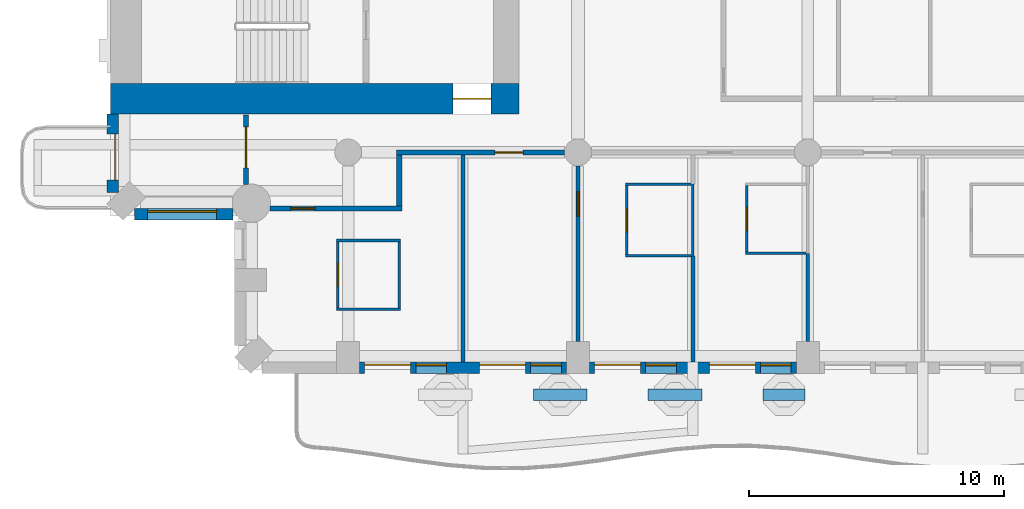
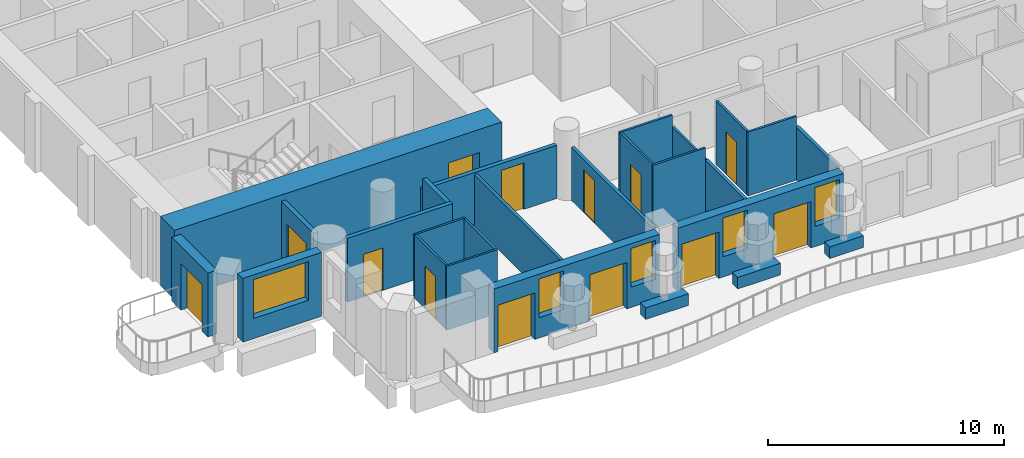
# One storey, part 3 of 20: 26 walls, 13 doors, 5 windows, 18 openings.
"""IFC4 building model written with IfcOpenShell, lengths in metres."""

from ifc_helpers import new_model, si_unit, direction, frame, frame_2d, origin, place, context, subcontext, project, spatial, rectangle, extrude, material, layer, layer_set, type_object, element, fill, save


model = new_model("IFC4")

# Units and contexts
model_context = context("Model", 3, precision=1e-05, world=origin(), true_north=direction((0.0, 1.0)))
body_context = subcontext(model_context, "Body", "Model", "MODEL_VIEW")
ifc_project = project(units=[si_unit("LENGTHUNIT", "METRE"), si_unit("AREAUNIT", "SQUARE_METRE"), si_unit("VOLUMEUNIT", "CUBIC_METRE"), si_unit("PLANEANGLEUNIT", "RADIAN"), si_unit("MASSUNIT", "GRAM", prefix="KILO")], contexts=[model_context])

# Site, building, storey
site_placement = place(None, origin())
site = spatial("IfcSite", under=ifc_project, at=site_placement, CompositionType="ELEMENT")
building_placement = place(site_placement, origin())
building = spatial("IfcBuilding", under=site, at=building_placement, Name="Cypress Arch Tower", CompositionType="ELEMENT")
storey_placement = place(building_placement, frame((0.0, 0.0, 109.5)))
storey = spatial("IfcBuildingStorey", under=building, at=storey_placement, Name="L22", CompositionType="ELEMENT", Elevation=109.5)

# Walls
ifc_material_1 = material(Name="Concrete C40/50, waterproofed", Category="concrete")
ifc_layer_1 = layer(ifc_material_1, 0.449951171875)
ifc_layer_set_1 = layer_set([ifc_layer_1], Name="Balcony planter wall PW450")
wall_type_1 = type_object("IfcWallType", Name="Balcony planter wall PW450", PredefinedType="SOLIDWALL", material=ifc_layer_set_1)
for number, where, z_axis, x_axis, name in (
    (1, (-13.449951171875, -27.0, 0.0), (0.0, 0.0, 1.0), (1.0, 0.0, 0.0), "Balcony planter wall L22-A03.2"),
    (2, (-8.949951171875, -27.0, 0.0), (0.0, 0.0, 1.0), (1.0, 0.0, 0.0), "Balcony planter wall L22-A03.3"),
):
    element("IfcWall", number, at=place(storey_placement, frame(where, z_axis=z_axis, x_axis=x_axis)), inside=storey, type_object=wall_type_1, Name=name, PredefinedType="SOLIDWALL", context=body_context, shape_type="SweptSolid", body=[
        extrude(rectangle(XDim=2.099853515625, YDim=0.449951171875, at=frame_2d((1.0498046875, 0.0))), origin(), (0.0, 0.0, 1.0), 0.60009765625),
    ])
wall_1_placement = place(storey_placement, frame((-4.449951171875, -27.0, 0.0), z_axis=(0.0, 0.0, 1.0), x_axis=(1.0, 0.0, 0.0)))
element("IfcWall", 3, at=wall_1_placement, inside=storey, type_object=wall_type_1, Name="Balcony planter wall L22-A03.4", PredefinedType="SOLIDWALL", context=body_context, shape_type="SweptSolid", body=[
    extrude(rectangle(XDim=1.64990234375, YDim=0.449951171875, at=frame_2d((0.824951171875, 0.0))), origin(), (0.0, 0.0, 1.0), 0.60009765625),
])

# Wall, opening, door
ifc_material_2 = material(Name="Brick (red buff blend)", Category="masonry")
ifc_layer_2 = layer(ifc_material_2, 0.449951171875)
ifc_layer_set_2 = layer_set([ifc_layer_2], Name="Brick pier and spandrel wall BW450")
wall_type_2 = type_object("IfcWallType", Name="Brick pier and spandrel wall BW450", PredefinedType="SOLIDWALL", material=ifc_layer_set_2)
wall_2_placement = place(storey_placement, frame((-29.925048828125, -16.0, 0.0), z_axis=(0.0, 0.0, 1.0), x_axis=(0.0, -1.0, 0.0)))
wall_2 = element("IfcWall", 4, at=wall_2_placement, inside=storey, type_object=wall_type_2, Name="Brick wall L22 A00.0.1", PredefinedType="SOLIDWALL", context=body_context, shape_type="SweptSolid", body=[
    extrude(rectangle(XDim=3.063720703125, YDim=0.449951171875, at=frame_2d((1.53173828125, 0.0))), origin(), (0.0, 0.0, 1.0), 3.300048828125),
])
opening_1_placement = place(wall_2_placement, frame((0.78173828125, 0.0, 0.0)))
opening_1 = element("IfcOpeningElement", 5, at=opening_1_placement, cuts=wall_2, Name="Opening D-L22-A00.0.1.9", PredefinedType="OPENING", context=body_context, shape_type="SweptSolid", body=[
    extrude(rectangle(XDim=1.800048828125, YDim=2.39990234375, at=frame_2d((0.89990234375, 1.199951171875))), frame((0.0, 0.23486328125, 0.0), z_axis=(0.0, -1.0, 0.0), x_axis=(1.0, 0.0, 0.0)), (0.0, 0.0, 1.0), 0.469970703125),
])
ifc_material_3 = material(Name="Anodised aluminium, bronze finish, laminated low-emissivity double glazing, large-missile impact rated", Category="aluminium")
door_type_1 = type_object("IfcDoorType", Name="Balcony sliding door 1800x2400", OperationType="SLIDING_TO_LEFT", PredefinedType="DOOR", material=ifc_material_3)
door_1_placement = place(opening_1_placement, origin())
door_1 = element("IfcDoor", 6, at=door_1_placement, inside=storey, type_object=door_type_1, Name="Balcony door L22 A00.0.1.9", OperationType="SLIDING_TO_LEFT", OverallHeight=2.39990234375, OverallWidth=1.800048828125, PredefinedType="DOOR", context=body_context, shape_type="SweptSolid", body=[
    extrude(rectangle(XDim=1.800048828125, YDim=2.39990234375, at=frame_2d((0.89990234375, 1.199951171875))), frame((0.0, 0.1298828125, 0.0), z_axis=(0.0, -1.0, 0.0), x_axis=(1.0, 0.0, 0.0)), (0.0, 0.0, 1.0), 0.050048828125),
])
fill(opening_1, door_1)

# Wall, opening, window
wall_3_placement = place(storey_placement, frame((-29.063720703125, -19.925048828125, 0.0), z_axis=(0.0, 0.0, 1.0), x_axis=(1.0, 0.0, 0.0)))
wall_3 = element("IfcWall", 7, at=wall_3_placement, inside=storey, type_object=wall_type_2, Name="Brick wall L22 A01.0", PredefinedType="SOLIDWALL", context=body_context, shape_type="SweptSolid", body=[
    extrude(rectangle(XDim=3.856689453125, YDim=0.449951171875, at=frame_2d((1.92822265625, 0.0))), origin(), (0.0, 0.0, 1.0), 3.300048828125),
])
opening_2_placement = place(wall_3_placement, frame((0.513671875, 0.0, 1.050048828125)))
opening_2 = element("IfcOpeningElement", 8, at=opening_2_placement, cuts=wall_3, Name="Opening W270H", PredefinedType="OPENING", context=body_context, shape_type="SweptSolid", body=[
    extrude(rectangle(XDim=2.699951171875, YDim=2.0, at=frame_2d((1.35009765625, 1.0))), frame((0.0, 0.23486328125, 0.0), z_axis=(0.0, -1.0, 0.0), x_axis=(1.0, 0.0, 0.0)), (0.0, 0.0, 1.0), 0.469970703125),
])
ifc_material_4 = material(Name="Anodised aluminium, bronze finish, clear low-emissivity double glazing", Category="aluminium")
window_type_1 = type_object("IfcWindowType", Name="Window Hotel 2700x2000", PartitioningType="SINGLE_PANEL", PredefinedType="WINDOW", material=ifc_material_4)
window_1_placement = place(opening_2_placement, origin())
window_1 = element("IfcWindow", 9, at=window_1_placement, inside=storey, type_object=window_type_1, Name="Window L22 A01.0.1", OverallHeight=2.0, OverallWidth=2.699951171875, PartitioningType="SINGLE_PANEL", PredefinedType="WINDOW", context=body_context, shape_type="SweptSolid", body=[
    extrude(rectangle(XDim=2.699951171875, YDim=2.0, at=frame_2d((1.35009765625, 1.0))), frame((0.0, 0.135009765625, 0.0), z_axis=(0.0, -1.0, 0.0), x_axis=(1.0, 0.0, 0.0)), (0.0, 0.0, 1.0), 0.06005859375),
])
fill(opening_2, window_1)

# Wall, openings, doors, windows
wall_4_placement = place(storey_placement, frame((-20.25, -25.925048828125, 0.0), z_axis=(0.0, 0.0, 1.0), x_axis=(1.0, 0.0, 0.0)))
wall_4 = element("IfcWall", 10, at=wall_4_placement, inside=storey, type_object=wall_type_2, Name="Brick wall L22 A03.1", PredefinedType="SOLIDWALL", context=body_context, shape_type="SweptSolid", body=[
    extrude(rectangle(XDim=8.10009765625, YDim=0.449951171875, at=frame_2d((4.050048828125, 0.0))), origin(), (0.0, 0.0, 1.0), 3.300048828125),
])
opening_3_placement = place(wall_4_placement, frame((0.199951171875, 0.0, 0.0)))
opening_3 = element("IfcOpeningElement", 11, at=opening_3_placement, cuts=wall_4, Name="Opening D-L22-A03.1.1", PredefinedType="OPENING", context=body_context, shape_type="SweptSolid", body=[
    extrude(rectangle(XDim=1.800048828125, YDim=2.39990234375, at=frame_2d((0.89990234375, 1.199951171875))), frame((0.0, 0.23486328125, 0.0), z_axis=(0.0, -1.0, 0.0), x_axis=(1.0, 0.0, 0.0)), (0.0, 0.0, 1.0), 0.469970703125),
])
opening_4_placement = place(wall_4_placement, frame((2.199951171875, 0.0, 1.050048828125)))
opening_4 = element("IfcOpeningElement", 12, at=opening_4_placement, cuts=wall_4, Name="Opening W120HD", PredefinedType="OPENING", context=body_context, shape_type="SweptSolid", body=[
    extrude(rectangle(XDim=1.199951171875, YDim=2.0, at=frame_2d((0.60009765625, 1.0))), frame((0.0, 0.23486328125, 0.0), z_axis=(0.0, -1.0, 0.0), x_axis=(1.0, 0.0, 0.0)), (0.0, 0.0, 1.0), 0.469970703125),
])
opening_5_placement = place(wall_4_placement, frame((4.699951171875, 0.0, 0.0)))
opening_5 = element("IfcOpeningElement", 13, at=opening_5_placement, cuts=wall_4, Name="Opening D-L22-A03.1.2", PredefinedType="OPENING", context=body_context, shape_type="SweptSolid", body=[
    extrude(rectangle(XDim=1.800048828125, YDim=2.39990234375, at=frame_2d((0.89990234375, 1.199951171875))), frame((0.0, 0.23486328125, 0.0), z_axis=(0.0, -1.0, 0.0), x_axis=(1.0, 0.0, 0.0)), (0.0, 0.0, 1.0), 0.469970703125),
])
opening_6_placement = place(wall_4_placement, frame((6.699951171875, 0.0, 1.050048828125)))
opening_6 = element("IfcOpeningElement", 14, at=opening_6_placement, cuts=wall_4, Name="Opening W120HD", PredefinedType="OPENING", context=body_context, shape_type="SweptSolid", body=[
    extrude(rectangle(XDim=1.199951171875, YDim=2.0, at=frame_2d((0.60009765625, 1.0))), frame((0.0, 0.23486328125, 0.0), z_axis=(0.0, -1.0, 0.0), x_axis=(1.0, 0.0, 0.0)), (0.0, 0.0, 1.0), 0.469970703125),
])
door_2_placement = place(opening_3_placement, origin())
door_2 = element("IfcDoor", 15, at=door_2_placement, inside=storey, type_object=door_type_1, Name="Balcony door L22 A03.1.1", OperationType="SLIDING_TO_LEFT", OverallHeight=2.39990234375, OverallWidth=1.800048828125, PredefinedType="DOOR", context=body_context, shape_type="SweptSolid", body=[
    extrude(rectangle(XDim=1.800048828125, YDim=2.39990234375, at=frame_2d((0.89990234375, 1.199951171875))), frame((0.0, 0.1298828125, 0.0), z_axis=(0.0, -1.0, 0.0), x_axis=(1.0, 0.0, 0.0)), (0.0, 0.0, 1.0), 0.050048828125),
])
fill(opening_3, door_2)
door_3_placement = place(opening_5_placement, origin())
door_3 = element("IfcDoor", 16, at=door_3_placement, inside=storey, type_object=door_type_1, Name="Balcony door L22 A03.1.2", OperationType="SLIDING_TO_LEFT", OverallHeight=2.39990234375, OverallWidth=1.800048828125, PredefinedType="DOOR", context=body_context, shape_type="SweptSolid", body=[
    extrude(rectangle(XDim=1.800048828125, YDim=2.39990234375, at=frame_2d((0.89990234375, 1.199951171875))), frame((0.0, 0.1298828125, 0.0), z_axis=(0.0, -1.0, 0.0), x_axis=(1.0, 0.0, 0.0)), (0.0, 0.0, 1.0), 0.050048828125),
])
fill(opening_5, door_3)
ifc_material_5 = material(Name="Anodised aluminium, bronze finish, laminated low-emissivity double glazing, large-missile impact rated", Category="aluminium")
window_type_2 = type_object("IfcWindowType", Name="Window Hotel 1200x2000 debris-rated", PartitioningType="SINGLE_PANEL", PredefinedType="WINDOW", material=ifc_material_5)
window_2_placement = place(opening_4_placement, origin())
window_2 = element("IfcWindow", 17, at=window_2_placement, inside=storey, type_object=window_type_2, Name="Window L22 A03.1.1", OverallHeight=2.0, OverallWidth=1.199951171875, PartitioningType="SINGLE_PANEL", PredefinedType="WINDOW", context=body_context, shape_type="SweptSolid", body=[
    extrude(rectangle(XDim=1.199951171875, YDim=2.0, at=frame_2d((0.60009765625, 1.0))), frame((0.0, 0.135009765625, 0.0), z_axis=(0.0, -1.0, 0.0), x_axis=(1.0, 0.0, 0.0)), (0.0, 0.0, 1.0), 0.06005859375),
])
fill(opening_4, window_2)
window_3_placement = place(opening_6_placement, origin())
window_3 = element("IfcWindow", 18, at=window_3_placement, inside=storey, type_object=window_type_2, Name="Window L22 A03.1.2", OverallHeight=2.0, OverallWidth=1.199951171875, PartitioningType="SINGLE_PANEL", PredefinedType="WINDOW", context=body_context, shape_type="SweptSolid", body=[
    extrude(rectangle(XDim=1.199951171875, YDim=2.0, at=frame_2d((0.60009765625, 1.0))), frame((0.0, 0.135009765625, 0.0), z_axis=(0.0, -1.0, 0.0), x_axis=(1.0, 0.0, 0.0)), (0.0, 0.0, 1.0), 0.06005859375),
])
fill(opening_6, window_3)

wall_5_placement = place(storey_placement, frame((-11.25, -25.925048828125, 0.0), z_axis=(0.0, 0.0, 1.0), x_axis=(1.0, 0.0, 0.0)))
wall_5 = element("IfcWall", 19, at=wall_5_placement, inside=storey, type_object=wall_type_2, Name="Brick wall L22 A03.2", PredefinedType="SOLIDWALL", context=body_context, shape_type="SweptSolid", body=[
    extrude(rectangle(XDim=8.10009765625, YDim=0.449951171875, at=frame_2d((4.050048828125, 0.0))), origin(), (0.0, 0.0, 1.0), 3.300048828125),
])
opening_7_placement = place(wall_5_placement, frame((0.199951171875, 0.0, 0.0)))
opening_7 = element("IfcOpeningElement", 20, at=opening_7_placement, cuts=wall_5, Name="Opening D-L22-A03.2.1", PredefinedType="OPENING", context=body_context, shape_type="SweptSolid", body=[
    extrude(rectangle(XDim=1.800048828125, YDim=2.39990234375, at=frame_2d((0.89990234375, 1.199951171875))), frame((0.0, 0.23486328125, 0.0), z_axis=(0.0, -1.0, 0.0), x_axis=(1.0, 0.0, 0.0)), (0.0, 0.0, 1.0), 0.469970703125),
])
opening_8_placement = place(wall_5_placement, frame((2.199951171875, 0.0, 1.050048828125)))
opening_8 = element("IfcOpeningElement", 21, at=opening_8_placement, cuts=wall_5, Name="Opening W120HD", PredefinedType="OPENING", context=body_context, shape_type="SweptSolid", body=[
    extrude(rectangle(XDim=1.199951171875, YDim=2.0, at=frame_2d((0.60009765625, 1.0))), frame((0.0, 0.23486328125, 0.0), z_axis=(0.0, -1.0, 0.0), x_axis=(1.0, 0.0, 0.0)), (0.0, 0.0, 1.0), 0.469970703125),
])
opening_9_placement = place(wall_5_placement, frame((4.699951171875, 0.0, 0.0)))
opening_9 = element("IfcOpeningElement", 22, at=opening_9_placement, cuts=wall_5, Name="Opening D-L22-A03.2.2", PredefinedType="OPENING", context=body_context, shape_type="SweptSolid", body=[
    extrude(rectangle(XDim=1.800048828125, YDim=2.39990234375, at=frame_2d((0.89990234375, 1.199951171875))), frame((0.0, 0.23486328125, 0.0), z_axis=(0.0, -1.0, 0.0), x_axis=(1.0, 0.0, 0.0)), (0.0, 0.0, 1.0), 0.469970703125),
])
opening_10_placement = place(wall_5_placement, frame((6.699951171875, 0.0, 1.050048828125)))
opening_10 = element("IfcOpeningElement", 23, at=opening_10_placement, cuts=wall_5, Name="Opening W120HD", PredefinedType="OPENING", context=body_context, shape_type="SweptSolid", body=[
    extrude(rectangle(XDim=1.199951171875, YDim=2.0, at=frame_2d((0.60009765625, 1.0))), frame((0.0, 0.23486328125, 0.0), z_axis=(0.0, -1.0, 0.0), x_axis=(1.0, 0.0, 0.0)), (0.0, 0.0, 1.0), 0.469970703125),
])
door_4_placement = place(opening_7_placement, origin())
door_4 = element("IfcDoor", 24, at=door_4_placement, inside=storey, type_object=door_type_1, Name="Balcony door L22 A03.2.1", OperationType="SLIDING_TO_LEFT", OverallHeight=2.39990234375, OverallWidth=1.800048828125, PredefinedType="DOOR", context=body_context, shape_type="SweptSolid", body=[
    extrude(rectangle(XDim=1.800048828125, YDim=2.39990234375, at=frame_2d((0.89990234375, 1.199951171875))), frame((0.0, 0.1298828125, 0.0), z_axis=(0.0, -1.0, 0.0), x_axis=(1.0, 0.0, 0.0)), (0.0, 0.0, 1.0), 0.050048828125),
])
fill(opening_7, door_4)
door_5_placement = place(opening_9_placement, origin())
door_5 = element("IfcDoor", 25, at=door_5_placement, inside=storey, type_object=door_type_1, Name="Balcony door L22 A03.2.2", OperationType="SLIDING_TO_LEFT", OverallHeight=2.39990234375, OverallWidth=1.800048828125, PredefinedType="DOOR", context=body_context, shape_type="SweptSolid", body=[
    extrude(rectangle(XDim=1.800048828125, YDim=2.39990234375, at=frame_2d((0.89990234375, 1.199951171875))), frame((0.0, 0.1298828125, 0.0), z_axis=(0.0, -1.0, 0.0), x_axis=(1.0, 0.0, 0.0)), (0.0, 0.0, 1.0), 0.050048828125),
])
fill(opening_9, door_5)
window_4_placement = place(opening_8_placement, origin())
window_4 = element("IfcWindow", 26, at=window_4_placement, inside=storey, type_object=window_type_2, Name="Window L22 A03.2.1", OverallHeight=2.0, OverallWidth=1.199951171875, PartitioningType="SINGLE_PANEL", PredefinedType="WINDOW", context=body_context, shape_type="SweptSolid", body=[
    extrude(rectangle(XDim=1.199951171875, YDim=2.0, at=frame_2d((0.60009765625, 1.0))), frame((0.0, 0.135009765625, 0.0), z_axis=(0.0, -1.0, 0.0), x_axis=(1.0, 0.0, 0.0)), (0.0, 0.0, 1.0), 0.06005859375),
])
fill(opening_8, window_4)
window_5_placement = place(opening_10_placement, origin())
window_5 = element("IfcWindow", 27, at=window_5_placement, inside=storey, type_object=window_type_2, Name="Window L22 A03.2.2", OverallHeight=2.0, OverallWidth=1.199951171875, PartitioningType="SINGLE_PANEL", PredefinedType="WINDOW", context=body_context, shape_type="SweptSolid", body=[
    extrude(rectangle(XDim=1.199951171875, YDim=2.0, at=frame_2d((0.60009765625, 1.0))), frame((0.0, 0.135009765625, 0.0), z_axis=(0.0, -1.0, 0.0), x_axis=(1.0, 0.0, 0.0)), (0.0, 0.0, 1.0), 0.06005859375),
])
fill(opening_10, window_5)

# Wall, opening, door
ifc_material_6 = material(Name="Concrete C80/95", Category="concrete")
ifc_layer_3 = layer(ifc_material_6, 1.199951171875)
ifc_layer_set_3 = layer_set([ifc_layer_3], Name="Core wall CW1200 C80/95")
wall_type_3 = type_object("IfcWallType", Name="Core wall CW1200 C80/95", PredefinedType="SHEAR", material=ifc_layer_set_3)
wall_6_placement = place(storey_placement, frame((-30.0, -15.39990234375, 0.0), z_axis=(0.0, 0.0, 1.0), x_axis=(1.0, 0.0, 0.0)))
wall_6 = element("IfcWall", 28, at=wall_6_placement, inside=storey, type_object=wall_type_3, Name="Core wall", PredefinedType="SHEAR", context=body_context, shape_type="SweptSolid", body=[
    extrude(rectangle(XDim=16.0, YDim=1.199951171875, at=frame_2d((8.0, 0.0))), origin(), (0.0, 0.0, 1.0), 3.60009765625),
])
opening_11_placement = place(wall_6_placement, frame((13.39990234375, 0.0, 0.0)))
opening_11 = element("IfcOpeningElement", 29, at=opening_11_placement, cuts=wall_6, Name="Opening D07", PredefinedType="OPENING", context=body_context, shape_type="SweptSolid", body=[
    extrude(rectangle(XDim=1.5, YDim=2.39990234375, at=frame_2d((0.75, 1.199951171875))), frame((0.0, 0.60986328125, 0.0), z_axis=(0.0, -1.0, 0.0), x_axis=(1.0, 0.0, 0.0)), (0.0, 0.0, 1.0), 1.219970703125),
])
ifc_material_7 = material(Name="Steel framed glazed door, fire resisting", Category="steel")
door_type_2 = type_object("IfcDoorType", Name="Lobby door D07 1500x2400", OperationType="DOUBLE_DOOR_SINGLE_SWING", PredefinedType="DOOR", material=ifc_material_7)
door_6_placement = place(opening_11_placement, origin())
door_6 = element("IfcDoor", 30, at=door_6_placement, inside=storey, type_object=door_type_2, Name="Lobby door", OperationType="DOUBLE_DOOR_SINGLE_SWING", OverallHeight=2.39990234375, OverallWidth=1.5, PredefinedType="DOOR", context=body_context, shape_type="SweptSolid", body=[
    extrude(rectangle(XDim=1.5, YDim=2.39990234375, at=frame_2d((0.75, 1.199951171875))), frame((0.0, 0.02490234375, 0.0), z_axis=(0.0, -1.0, 0.0), x_axis=(1.0, 0.0, 0.0)), (0.0, 0.0, 1.0), 0.050048828125),
])
fill(opening_11, door_6)

ifc_material_8 = material(Name="Concrete blockwork, plastered, rated", Category="masonry")
ifc_layer_4 = layer(ifc_material_8, 0.199951171875)
ifc_layer_set_4 = layer_set([ifc_layer_4], Name="Corridor wall FW200")
wall_type_4 = type_object("IfcWallType", Name="Corridor wall FW200", PredefinedType="PARTITIONING", material=ifc_layer_set_4)
wall_7_placement = place(storey_placement, frame((-24.699951171875, -18.752197265625, 0.0), z_axis=(0.0, 0.0, 1.0), x_axis=(0.0, 1.0, 0.0)))
wall_7 = element("IfcWall", 31, at=wall_7_placement, inside=storey, type_object=wall_type_4, Name="Corridor wall", PredefinedType="PARTITIONING", context=body_context, shape_type="SweptSolid", body=[
    extrude(rectangle(XDim=2.72216796875, YDim=0.199951171875, at=frame_2d((1.361083984375, 0.0))), origin(), (0.0, 0.0, 1.0), 3.300048828125),
])
opening_12_placement = place(wall_7_placement, frame((0.64990234375, 0.0, 0.0)))
opening_12 = element("IfcOpeningElement", 32, at=opening_12_placement, cuts=wall_7, Name="Opening D10", PredefinedType="OPENING", context=body_context, shape_type="SweptSolid", body=[
    extrude(rectangle(XDim=1.60009765625, YDim=2.39990234375, at=frame_2d((0.800048828125, 1.199951171875))), frame((0.0, 0.10986328125, 0.0), z_axis=(0.0, -1.0, 0.0), x_axis=(1.0, 0.0, 0.0)), (0.0, 0.0, 1.0), 0.219970703125),
])
ifc_material_9 = material(Name="Black aluminium glazed door", Category="aluminium")
door_type_3 = type_object("IfcDoorType", Name="Amenity door D10 1600x2400", OperationType="DOUBLE_DOOR_SINGLE_SWING", PredefinedType="DOOR", material=ifc_material_9)
door_7_placement = place(opening_12_placement, origin())
door_7 = element("IfcDoor", 33, at=door_7_placement, inside=storey, type_object=door_type_3, Name="Amenity door", OperationType="DOUBLE_DOOR_SINGLE_SWING", OverallHeight=2.39990234375, OverallWidth=1.60009765625, PredefinedType="DOOR", context=body_context, shape_type="SweptSolid", body=[
    extrude(rectangle(XDim=1.60009765625, YDim=2.39990234375, at=frame_2d((0.800048828125, 1.199951171875))), frame((0.0, 0.02490234375, 0.0), z_axis=(0.0, -1.0, 0.0), x_axis=(1.0, 0.0, 0.0)), (0.0, 0.0, 1.0), 0.050048828125),
])
fill(opening_12, door_7)

wall_8_placement = place(storey_placement, frame((-23.752197265625, -19.699951171875, 0.0), z_axis=(0.0, 0.0, 1.0), x_axis=(1.0, 0.0, 0.0)))
wall_8 = element("IfcWall", 34, at=wall_8_placement, inside=storey, type_object=wall_type_4, Name="Corridor wall", PredefinedType="PARTITIONING", context=body_context, shape_type="SweptSolid", body=[
    extrude(rectangle(XDim=5.152099609375, YDim=0.199951171875, at=frame_2d((2.576171875, 0.0))), origin(), (0.0, 0.0, 1.0), 3.300048828125),
])
opening_13_placement = place(wall_8_placement, frame((0.800048828125, 0.0, 0.0)))
opening_13 = element("IfcOpeningElement", 35, at=opening_13_placement, cuts=wall_8, Name="Opening D02", PredefinedType="OPENING", context=body_context, shape_type="SweptSolid", body=[
    extrude(rectangle(XDim=0.949951171875, YDim=2.199951171875, at=frame_2d((0.47509765625, 1.10009765625))), frame((0.0, 0.10986328125, 0.0), z_axis=(0.0, -1.0, 0.0), x_axis=(1.0, 0.0, 0.0)), (0.0, 0.0, 1.0), 0.219970703125),
])
ifc_material_10 = material(Name="Timber flush door, fire resisting", Category="wood")
door_type_4 = type_object("IfcDoorType", Name="Room door D02 950x2200", OperationType="SINGLE_SWING_LEFT", PredefinedType="DOOR", material=ifc_material_10)
door_8_placement = place(opening_13_placement, origin())
door_8 = element("IfcDoor", 36, at=door_8_placement, inside=storey, type_object=door_type_4, Name="Room door", OperationType="SINGLE_SWING_RIGHT", OverallHeight=2.199951171875, OverallWidth=0.949951171875, PredefinedType="DOOR", context=body_context, shape_type="SweptSolid", body=[
    extrude(rectangle(XDim=0.949951171875, YDim=2.199951171875, at=frame_2d((0.47509765625, 1.10009765625))), frame((0.0, 0.02490234375, 0.0), z_axis=(0.0, -1.0, 0.0), x_axis=(1.0, 0.0, 0.0)), (0.0, 0.0, 1.0), 0.050048828125),
])
fill(opening_13, door_8)

# Wall
wall_9_placement = place(storey_placement, frame((-18.699951171875, -19.60009765625, 0.0), z_axis=(0.0, 0.0, 1.0), x_axis=(0.0, 1.0, 0.0)))
element("IfcWall", 37, at=wall_9_placement, inside=storey, type_object=wall_type_4, Name="Corridor wall", PredefinedType="PARTITIONING", context=body_context, shape_type="SweptSolid", body=[
    extrude(rectangle(XDim=2.0, YDim=0.199951171875, at=frame_2d((1.0, 0.0))), origin(), (0.0, 0.0, 1.0), 3.300048828125),
])

# Wall, opening, door
wall_10_placement = place(storey_placement, frame((-18.800048828125, -17.5, 0.0), z_axis=(0.0, 0.0, 1.0), x_axis=(1.0, 0.0, 0.0)))
wall_10 = element("IfcWall", 38, at=wall_10_placement, inside=storey, type_object=wall_type_4, Name="Corridor wall", PredefinedType="PARTITIONING", context=body_context, shape_type="SweptSolid", body=[
    extrude(rectangle(XDim=6.574951171875, YDim=0.199951171875, at=frame_2d((3.28759765625, 0.0))), origin(), (0.0, 0.0, 1.0), 2.75),
])
opening_14_placement = place(wall_10_placement, frame((3.85009765625, 0.0, 0.0)))
opening_14 = element("IfcOpeningElement", 39, at=opening_14_placement, cuts=wall_10, Name="Opening D01", PredefinedType="OPENING", context=body_context, shape_type="SweptSolid", body=[
    extrude(rectangle(XDim=1.10009765625, YDim=2.39990234375, at=frame_2d((0.550048828125, 1.199951171875))), frame((0.0, 0.10986328125, 0.0), z_axis=(0.0, -1.0, 0.0), x_axis=(1.0, 0.0, 0.0)), (0.0, 0.0, 1.0), 0.219970703125),
])
ifc_material_11 = material(Name="Timber flush door, fire resisting, self-closing", Category="wood")
door_type_5 = type_object("IfcDoorType", Name="Unit entrance door D01 1100x2400", OperationType="SINGLE_SWING_LEFT", PredefinedType="DOOR", material=ifc_material_11)
door_9_placement = place(opening_14_placement, origin())
door_9 = element("IfcDoor", 40, at=door_9_placement, inside=storey, type_object=door_type_5, Name="Unit entrance door", OperationType="SINGLE_SWING_RIGHT", OverallHeight=2.39990234375, OverallWidth=1.10009765625, PredefinedType="DOOR", context=body_context, shape_type="SweptSolid", body=[
    extrude(rectangle(XDim=1.10009765625, YDim=2.39990234375, at=frame_2d((0.550048828125, 1.199951171875))), frame((0.0, 0.02490234375, 0.0), z_axis=(0.0, -1.0, 0.0), x_axis=(1.0, 0.0, 0.0)), (0.0, 0.0, 1.0), 0.050048828125),
])
fill(opening_14, door_9)

# Wall
ifc_material_12 = material(Name="Blockwork, plastered both sides", Category="masonry")
ifc_layer_5 = layer(ifc_material_12, 0.14990234375)
ifc_layer_set_5 = layer_set([ifc_layer_5], Name="Partition PW150")
wall_type_5 = type_object("IfcWallType", Name="Partition PW150", PredefinedType="PARTITIONING", material=ifc_layer_set_5)
wall_11_placement = place(storey_placement, frame((-16.199951171875, -25.699951171875, 0.0), z_axis=(0.0, 0.0, 1.0), x_axis=(0.0, 1.0, 0.0)))
element("IfcWall", 41, at=wall_11_placement, inside=storey, type_object=wall_type_5, Name="Partition", PredefinedType="PARTITIONING", context=body_context, shape_type="SweptSolid", body=[
    extrude(rectangle(XDim=8.099853515625, YDim=0.14990234375, at=frame_2d((4.0498046875, 0.0))), origin(), (0.0, 0.0, 1.0), 2.64990234375),
])

# Wall, opening, door
wall_12_placement = place(storey_placement, frame((-11.699951171875, -24.89990234375, 0.0), z_axis=(0.0, 0.0, 1.0), x_axis=(0.0, 1.0, 0.0)))
wall_12 = element("IfcWall", 42, at=wall_12_placement, inside=storey, type_object=wall_type_5, Name="Partition", PredefinedType="PARTITIONING", context=body_context, shape_type="SweptSolid", body=[
    extrude(rectangle(XDim=6.875, YDim=0.14990234375, at=frame_2d((3.4375, 0.0))), origin(), (0.0, 0.0, 1.0), 2.75),
])
opening_15_placement = place(wall_12_placement, frame((4.89990234375, 0.0, 0.0)))
opening_15 = element("IfcOpeningElement", 43, at=opening_15_placement, cuts=wall_12, Name="Opening D12", PredefinedType="OPENING", context=body_context, shape_type="SweptSolid", body=[
    extrude(rectangle(XDim=0.949951171875, YDim=2.199951171875, at=frame_2d((0.47509765625, 1.10009765625))), frame((0.0, 0.0849609375, 0.0), z_axis=(0.0, -1.0, 0.0), x_axis=(1.0, 0.0, 0.0)), (0.0, 0.0, 1.0), 0.169921875),
])
ifc_material_13 = material(Name="Timber flush door", Category="wood")
door_type_6 = type_object("IfcDoorType", Name="Room door D12 950x2200", OperationType="SINGLE_SWING_LEFT", PredefinedType="DOOR", material=ifc_material_13)
door_10_placement = place(opening_15_placement, origin())
door_10 = element("IfcDoor", 44, at=door_10_placement, inside=storey, type_object=door_type_6, Name="Room door", OperationType="SINGLE_SWING_RIGHT", OverallHeight=2.199951171875, OverallWidth=0.949951171875, PredefinedType="DOOR", context=body_context, shape_type="SweptSolid", body=[
    extrude(rectangle(XDim=0.949951171875, YDim=2.199951171875, at=frame_2d((0.47509765625, 1.10009765625))), frame((0.0, 0.02490234375, 0.0), z_axis=(0.0, -1.0, 0.0), x_axis=(1.0, 0.0, 0.0)), (0.0, 0.0, 1.0), 0.050048828125),
])
fill(opening_15, door_10)

# Walls
wall_13_placement = place(storey_placement, frame((-7.199951171875, -25.699951171875, 0.0), z_axis=(0.0, 0.0, 1.0), x_axis=(0.0, 1.0, 0.0)))
element("IfcWall", 45, at=wall_13_placement, inside=storey, type_object=wall_type_5, Name="Partition", PredefinedType="PARTITIONING", context=body_context, shape_type="SweptSolid", body=[
    extrude(rectangle(XDim=4.14990234375, YDim=0.14990234375, at=frame_2d((2.074951171875, 0.0))), origin(), (0.0, 0.0, 1.0), 2.64990234375),
])
wall_14_placement = place(storey_placement, frame((-2.699951171875, -24.89990234375, 0.0), z_axis=(0.0, 0.0, 1.0), x_axis=(0.0, 1.0, 0.0)))
element("IfcWall", 46, at=wall_14_placement, inside=storey, type_object=wall_type_5, Name="Partition", PredefinedType="PARTITIONING", context=body_context, shape_type="SweptSolid", body=[
    extrude(rectangle(XDim=3.449951171875, YDim=0.14990234375, at=frame_2d((1.72509765625, 0.0))), origin(), (0.0, 0.0, 1.0), 2.75),
])

# Wall, opening, door
ifc_material_14 = material(Name="Moisture resistant board on steel studs, tiled", Category="steel")
ifc_layer_6 = layer(ifc_material_14, 0.10009765625)
ifc_layer_set_6 = layer_set([ifc_layer_6], Name="Wet wall PW100")
wall_type_6 = type_object("IfcWallType", Name="Wet wall PW100", PredefinedType="PARTITIONING", material=ifc_layer_set_6)
wall_15_placement = place(storey_placement, frame((-21.10009765625, -23.60009765625, 0.0), z_axis=(0.0, 0.0, 1.0), x_axis=(0.0, 1.0, 0.0)))
wall_15 = element("IfcWall", 47, at=wall_15_placement, inside=storey, type_object=wall_type_6, Name="Wet wall", PredefinedType="PARTITIONING", context=body_context, shape_type="SweptSolid", body=[
    extrude(rectangle(XDim=2.60009765625, YDim=0.10009765625, at=frame_2d((1.300048828125, 0.0))), origin(), (0.0, 0.0, 1.0), 3.300048828125),
])
opening_16_placement = place(wall_15_placement, frame((0.85009765625, 0.0, 0.0)))
opening_16 = element("IfcOpeningElement", 48, at=opening_16_placement, cuts=wall_15, Name="Opening D03", PredefinedType="OPENING", context=body_context, shape_type="SweptSolid", body=[
    extrude(rectangle(XDim=0.89990234375, YDim=2.199951171875, at=frame_2d((0.449951171875, 1.10009765625))), frame((0.0, 0.06005859375, 0.0), z_axis=(0.0, -1.0, 0.0), x_axis=(1.0, 0.0, 0.0)), (0.0, 0.0, 1.0), 0.1201171875),
])
ifc_material_15 = material(Name="Timber flush door, moisture resistant", Category="wood")
door_type_7 = type_object("IfcDoorType", Name="Bathroom door D03 900x2200", OperationType="SINGLE_SWING_LEFT", PredefinedType="DOOR", material=ifc_material_15)
door_11_placement = place(opening_16_placement, origin())
door_11 = element("IfcDoor", 49, at=door_11_placement, inside=storey, type_object=door_type_7, Name="Bathroom door", OperationType="SINGLE_SWING_LEFT", OverallHeight=2.199951171875, OverallWidth=0.89990234375, PredefinedType="DOOR", context=body_context, shape_type="SweptSolid", body=[
    extrude(rectangle(XDim=0.89990234375, YDim=2.199951171875, at=frame_2d((0.449951171875, 1.10009765625))), frame((0.0, 0.02490234375, 0.0), z_axis=(0.0, -1.0, 0.0), x_axis=(1.0, 0.0, 0.0)), (0.0, 0.0, 1.0), 0.050048828125),
])
fill(opening_16, door_11)

# Walls
for number, where, z_axis, x_axis, name in (
    (50, (-21.14990234375, -23.64990234375, 0.0), (0.0, 0.0, 1.0), (1.0, 0.0, 0.0), "Wet wall"),
    (51, (-21.14990234375, -20.949951171875, 0.0), (0.0, 0.0, 1.0), (1.0, 0.0, 0.0), "Wet wall"),
):
    element("IfcWall", number, at=place(storey_placement, frame(where, z_axis=z_axis, x_axis=x_axis)), inside=storey, type_object=wall_type_6, Name=name, PredefinedType="PARTITIONING", context=body_context, shape_type="SweptSolid", body=[
        extrude(rectangle(XDim=2.5, YDim=0.10009765625, at=frame_2d((1.25, 0.0))), origin(), (0.0, 0.0, 1.0), 3.300048828125),
    ])
wall_16_placement = place(storey_placement, frame((-18.699951171875, -23.60009765625, 0.0), z_axis=(0.0, 0.0, 1.0), x_axis=(0.0, 1.0, 0.0)))
element("IfcWall", 52, at=wall_16_placement, inside=storey, type_object=wall_type_6, Name="Wet wall", PredefinedType="PARTITIONING", context=body_context, shape_type="SweptSolid", body=[
    extrude(rectangle(XDim=2.60009765625, YDim=0.10009765625, at=frame_2d((1.300048828125, 0.0))), origin(), (0.0, 0.0, 1.0), 3.300048828125),
])

# Wall, opening, door
wall_17_placement = place(storey_placement, frame((-9.7958984375, -21.5, 0.0), z_axis=(0.0, 0.0, 1.0), x_axis=(0.0, 1.0, 0.0)))
wall_17 = element("IfcWall", 53, at=wall_17_placement, inside=storey, type_object=wall_type_6, Name="Wet wall", PredefinedType="PARTITIONING", context=body_context, shape_type="SweptSolid", body=[
    extrude(rectangle(XDim=2.699951171875, YDim=0.10009765625, at=frame_2d((1.35009765625, 0.0))), origin(), (0.0, 0.0, 1.0), 3.300048828125),
])
opening_17_placement = place(wall_17_placement, frame((0.89990234375, 0.0, 0.0)))
opening_17 = element("IfcOpeningElement", 54, at=opening_17_placement, cuts=wall_17, Name="Opening D03", PredefinedType="OPENING", context=body_context, shape_type="SweptSolid", body=[
    extrude(rectangle(XDim=0.89990234375, YDim=2.199951171875, at=frame_2d((0.449951171875, 1.10009765625))), frame((0.0, 0.06005859375, 0.0), z_axis=(0.0, -1.0, 0.0), x_axis=(1.0, 0.0, 0.0)), (0.0, 0.0, 1.0), 0.1201171875),
])
door_12_placement = place(opening_17_placement, origin())
door_12 = element("IfcDoor", 55, at=door_12_placement, inside=storey, type_object=door_type_7, Name="Bathroom door", OperationType="SINGLE_SWING_LEFT", OverallHeight=2.199951171875, OverallWidth=0.89990234375, PredefinedType="DOOR", context=body_context, shape_type="SweptSolid", body=[
    extrude(rectangle(XDim=0.89990234375, YDim=2.199951171875, at=frame_2d((0.449951171875, 1.10009765625))), frame((0.0, 0.02490234375, 0.0), z_axis=(0.0, -1.0, 0.0), x_axis=(1.0, 0.0, 0.0)), (0.0, 0.0, 1.0), 0.050048828125),
])
fill(opening_17, door_12)

# Walls
for number, where, z_axis, x_axis, name in (
    (56, (-9.845947265625, -21.550048828125, 0.0), (0.0, 0.0, 1.0), (1.0, 0.0, 0.0), "Wet wall"),
    (57, (-9.845947265625, -18.75, 0.0), (0.0, 0.0, 1.0), (1.0, 0.0, 0.0), "Wet wall"),
):
    element("IfcWall", number, at=place(storey_placement, frame(where, z_axis=z_axis, x_axis=x_axis)), inside=storey, type_object=wall_type_6, Name=name, PredefinedType="PARTITIONING", context=body_context, shape_type="SweptSolid", body=[
        extrude(rectangle(XDim=2.571044921875, YDim=0.10009765625, at=frame_2d((1.28564453125, 0.0))), origin(), (0.0, 0.0, 1.0), 3.300048828125),
    ])
wall_18_placement = place(storey_placement, frame((-7.199951171875, -21.550048828125, 0.0), z_axis=(0.0, 0.0, 1.0), x_axis=(0.0, 1.0, 0.0)))
element("IfcWall", 58, at=wall_18_placement, inside=storey, type_object=wall_type_6, Name="Wet wall", PredefinedType="PARTITIONING", context=body_context, shape_type="SweptSolid", body=[
    extrude(rectangle(XDim=2.820068359375, YDim=0.10009765625, at=frame_2d((1.41015625, 0.0))), origin(), (0.0, 0.0, 1.0), 2.64990234375),
])

# Wall, opening, door
wall_19_placement = place(storey_placement, frame((-5.095947265625, -21.39990234375, 0.0), z_axis=(0.0, 0.0, 1.0), x_axis=(0.0, 1.0, 0.0)))
wall_19 = element("IfcWall", 59, at=wall_19_placement, inside=storey, type_object=wall_type_6, Name="Wet wall", PredefinedType="PARTITIONING", context=body_context, shape_type="SweptSolid", body=[
    extrude(rectangle(XDim=2.599853515625, YDim=0.10009765625, at=frame_2d((1.2998046875, 0.0))), origin(), (0.0, 0.0, 1.0), 3.300048828125),
])
opening_18_placement = place(wall_19_placement, frame((0.85009765625, 0.0, 0.0)))
opening_18 = element("IfcOpeningElement", 60, at=opening_18_placement, cuts=wall_19, Name="Opening D03", PredefinedType="OPENING", context=body_context, shape_type="SweptSolid", body=[
    extrude(rectangle(XDim=0.89990234375, YDim=2.199951171875, at=frame_2d((0.449951171875, 1.10009765625))), frame((0.0, 0.06005859375, 0.0), z_axis=(0.0, -1.0, 0.0), x_axis=(1.0, 0.0, 0.0)), (0.0, 0.0, 1.0), 0.1201171875),
])
door_13_placement = place(opening_18_placement, origin())
door_13 = element("IfcDoor", 61, at=door_13_placement, inside=storey, type_object=door_type_7, Name="Bathroom door", OperationType="SINGLE_SWING_LEFT", OverallHeight=2.199951171875, OverallWidth=0.89990234375, PredefinedType="DOOR", context=body_context, shape_type="SweptSolid", body=[
    extrude(rectangle(XDim=0.89990234375, YDim=2.199951171875, at=frame_2d((0.449951171875, 1.10009765625))), frame((0.0, 0.02490234375, 0.0), z_axis=(0.0, -1.0, 0.0), x_axis=(1.0, 0.0, 0.0)), (0.0, 0.0, 1.0), 0.050048828125),
])
fill(opening_18, door_13)

# Wall
wall_20_placement = place(storey_placement, frame((-5.14599609375, -21.449951171875, 0.0), z_axis=(0.0, 0.0, 1.0), x_axis=(1.0, 0.0, 0.0)))
element("IfcWall", 62, at=wall_20_placement, inside=storey, type_object=wall_type_6, Name="Wet wall", PredefinedType="PARTITIONING", context=body_context, shape_type="SweptSolid", body=[
    extrude(rectangle(XDim=2.37109375, YDim=0.10009765625, at=frame_2d((1.185546875, 0.0))), origin(), (0.0, 0.0, 1.0), 3.300048828125),
])

save(model, "model.ifc")
